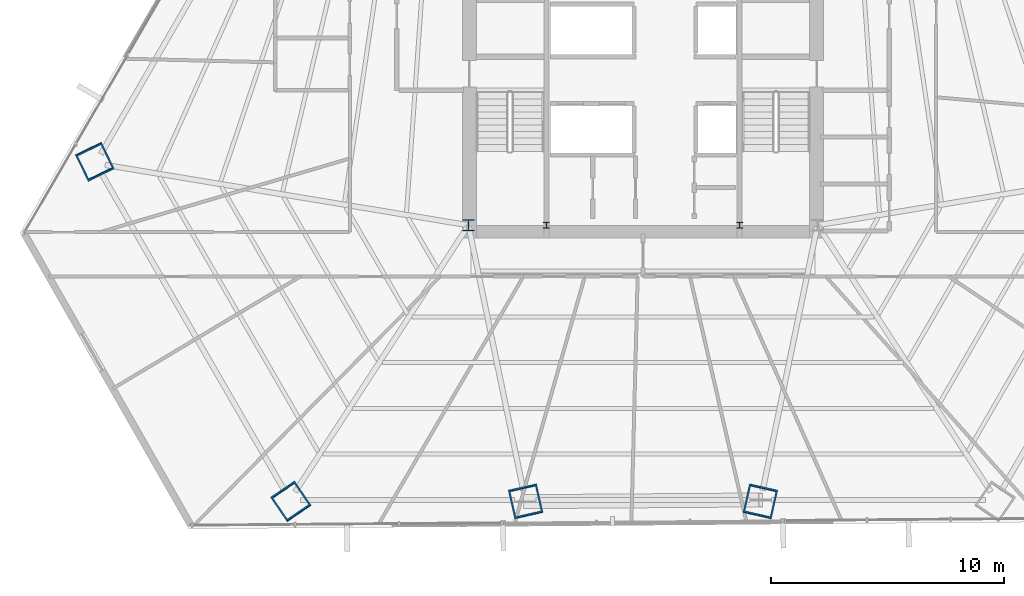
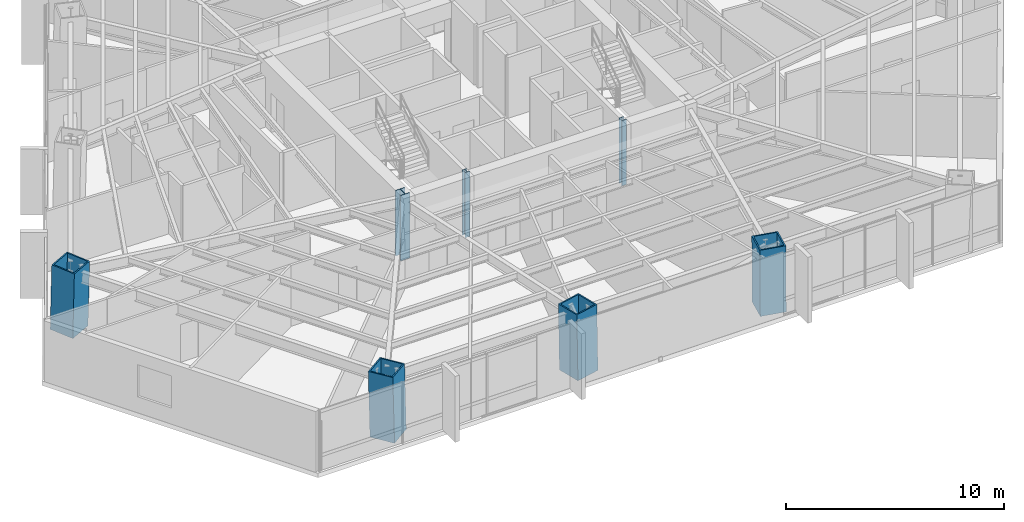
# One storey, part 1 of 36: 7 columns.
"""IFC4 building model written with IfcOpenShell, lengths in metres."""

from ifc_helpers import new_model, si_unit, direction, frame, origin, origin_2d, place, context, subcontext, project, spatial, hollow_rectangle, i_section, extrude, source, transform, mapped, material, material_profile, profile_set, type_object, type_shapes, element, save


model = new_model("IFC4")

# Units and contexts
model_context = context("Model", 3, precision=1e-05, world=origin(), true_north=direction((0.0, 1.0)))
body_context = subcontext(model_context, "Body", "Model", "MODEL_VIEW")
ifc_project = project(units=[si_unit("LENGTHUNIT", "METRE"), si_unit("AREAUNIT", "SQUARE_METRE"), si_unit("VOLUMEUNIT", "CUBIC_METRE"), si_unit("PLANEANGLEUNIT", "RADIAN"), si_unit("MASSUNIT", "GRAM", prefix="KILO")], contexts=[model_context])

# Site, building, storey
site_placement = place(None, origin())
site = spatial("IfcSite", under=ifc_project, at=site_placement, CompositionType="ELEMENT")
building_placement = place(site_placement, origin())
building = spatial("IfcBuilding", under=site, at=building_placement, Name="Caelisora Broadcast Tower", CompositionType="ELEMENT")
storey_placement = place(building_placement, frame((0.0, 0.0, 64.10009765625)))
storey = spatial("IfcBuildingStorey", under=building, at=storey_placement, Name="L16", CompositionType="ELEMENT", Elevation=64.10009765625)

# Columns
ifc_material_1 = material(Name="Steel Grade 350 (AS/NZS 3679.2)", Category="steel")
ifc_material_profile_1 = material_profile(ifc_material_1, i_section(OverallWidth=0.5, OverallDepth=0.5, WebThickness=0.028076171875, FlangeThickness=0.0400390625, at=origin_2d()), Name="Steel Grade 350 (AS/NZS 3679.2)")
ifc_profile_set_1 = profile_set([ifc_material_profile_1], Name="Steel Grade 350 (AS/NZS 3679.2)")
column_type_1 = type_object("IfcColumnType", Name="CC01", PredefinedType="COLUMN", material=ifc_profile_set_1)
shared_shape_1 = source(origin(), body_context, "Body", "SweptSolid", [
    extrude(i_section(OverallWidth=0.5, OverallDepth=0.5, WebThickness=0.028076171875, FlangeThickness=0.0400390625, at=origin_2d()), origin(), (0.0, 0.0, 1.0), 3.64990234375),
])
type_shapes(column_type_1, [shared_shape_1])
column_placement = place(storey_placement, frame((30.5, 17.39990234375, 0.0), z_axis=(0.0, 0.0, 1.0), x_axis=(1.0, 0.0, 0.0)))
element("IfcColumn", 1, at=column_placement, inside=storey, type_object=column_type_1, Name="L16 column CC01", PredefinedType="COLUMN", context=body_context, shape_type="MappedRepresentation", body=[
    mapped(shared_shape_1, transform((0.0, 0.0, 0.0), scale=1.0)),
])
ifc_material_2 = material(Name="Steel Grade 350 L15 (AS/NZS 3678)", Category="steel")
ifc_material_profile_2 = material_profile(ifc_material_2, hollow_rectangle(XDim=1.25, YDim=1.25, WallThickness=0.070068359375, at=origin_2d()), Name="Steel Grade 350 L15 (AS/NZS 3678)")
ifc_profile_set_2 = profile_set([ifc_material_profile_2], Name="Steel Grade 350 L15 (AS/NZS 3678)")
column_type_2 = type_object("IfcColumnType", Name="MC02", PredefinedType="COLUMN", material=ifc_profile_set_2)
shared_shape_2 = source(origin(), body_context, "Body", "SweptSolid", [
    extrude(hollow_rectangle(XDim=1.25, YDim=1.25, WallThickness=0.070068359375, at=origin_2d()), origin(), (0.0, 0.0, 1.0), 3.65087890625),
])
for number, where, z_axis, x_axis, name in (
    (2, (14.436279296875, 20.140869140625, 0.0), (0.010498643418, -0.021599119899, 0.999711586662), (0.899383059768, 0.437161425336, 0.0), "L16 column MC02"),
    (3, (22.876220703125, 5.52294921875, 0.0), (-0.013507825582, 0.019793645407, 0.999712833893), (-0.825991119814, -0.563683129062, 0.0), "L16 column MC02"),
):
    element("IfcColumn", number, at=place(storey_placement, frame(where, z_axis=z_axis, x_axis=x_axis)), inside=storey, type_object=column_type_2, Name=name, PredefinedType="COLUMN", context=body_context, shape_type="MappedRepresentation", body=[
        mapped(shared_shape_2, transform((0.0, 0.0, 0.0), scale=1.0)),
    ])
shared_shape_3 = source(origin(), body_context, "Body", "SweptSolid", [
    extrude(hollow_rectangle(XDim=1.25, YDim=1.25, WallThickness=0.070068359375, at=origin_2d()), origin(), (0.0, 0.0, 1.0), 3.650634765625),
])
type_shapes(column_type_2, [shared_shape_2, shared_shape_3])
for number, where, z_axis, x_axis, name in (
    (4, (32.958740234375, 5.52294921875, 0.0), (-0.004480682206, 0.019795252729, 0.999794014513), (-0.975326687046, -0.220766513622, 0.0), "L16 column MC02"),
    (5, (43.041259765625, 5.52294921875, 0.0), (0.004480682206, 0.019795252729, 0.999794014513), (-0.975326687046, 0.220766513622, 0.0), "L16 column MC02"),
):
    element("IfcColumn", number, at=place(storey_placement, frame(where, z_axis=z_axis, x_axis=x_axis)), inside=storey, type_object=column_type_2, Name=name, PredefinedType="COLUMN", context=body_context, shape_type="MappedRepresentation", body=[
        mapped(shared_shape_3, transform((0.0, 0.0, 0.0), scale=1.0)),
    ])
ifc_material_3 = material(Name="Steel Grade 350 (AS/NZS 3679.1)", Category="steel")
ifc_material_profile_3 = material_profile(ifc_material_3, i_section(OverallWidth=0.256103515625, OverallDepth=0.260009765625, WebThickness=0.010498046875, FlangeThickness=0.017333984375, at=origin_2d()), Name="Steel Grade 350 (AS/NZS 3679.1)")
ifc_profile_set_3 = profile_set([ifc_material_profile_3], Name="Steel Grade 350 (AS/NZS 3679.1)")
column_type_3 = type_object("IfcColumnType", Name="CC05", PredefinedType="COLUMN", material=ifc_profile_set_3)
shared_shape_4 = source(origin(), body_context, "Body", "SweptSolid", [
    extrude(i_section(OverallWidth=0.256103515625, OverallDepth=0.260009765625, WebThickness=0.010498046875, FlangeThickness=0.017333984375, at=origin_2d()), origin(), (0.0, 0.0, 1.0), 3.64990234375),
])
type_shapes(column_type_3, [shared_shape_4])
for number, where, z_axis, x_axis, name in (
    (6, (33.85009765625, 17.39990234375, 0.0), (0.0, 0.0, 1.0), (1.0, 0.0, 0.0), "L16 column CC05"),
    (7, (42.14990234375, 17.39990234375, 0.0), (0.0, 0.0, 1.0), (1.0, 0.0, 0.0), "L16 column CC05"),
):
    element("IfcColumn", number, at=place(storey_placement, frame(where, z_axis=z_axis, x_axis=x_axis)), inside=storey, type_object=column_type_3, Name=name, PredefinedType="COLUMN", context=body_context, shape_type="MappedRepresentation", body=[
        mapped(shared_shape_4, transform((0.0, 0.0, 0.0), scale=1.0)),
    ])

save(model, "model.ifc")
